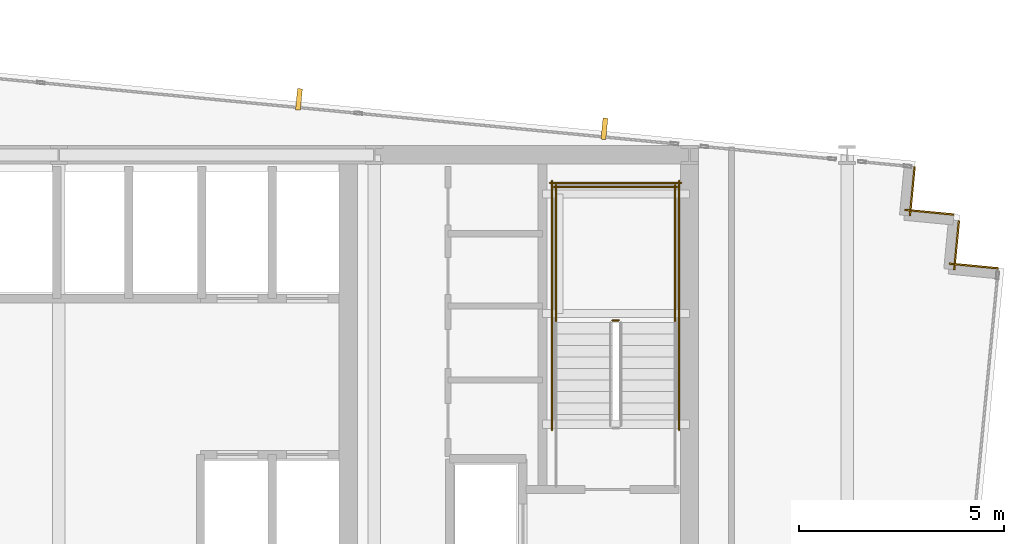
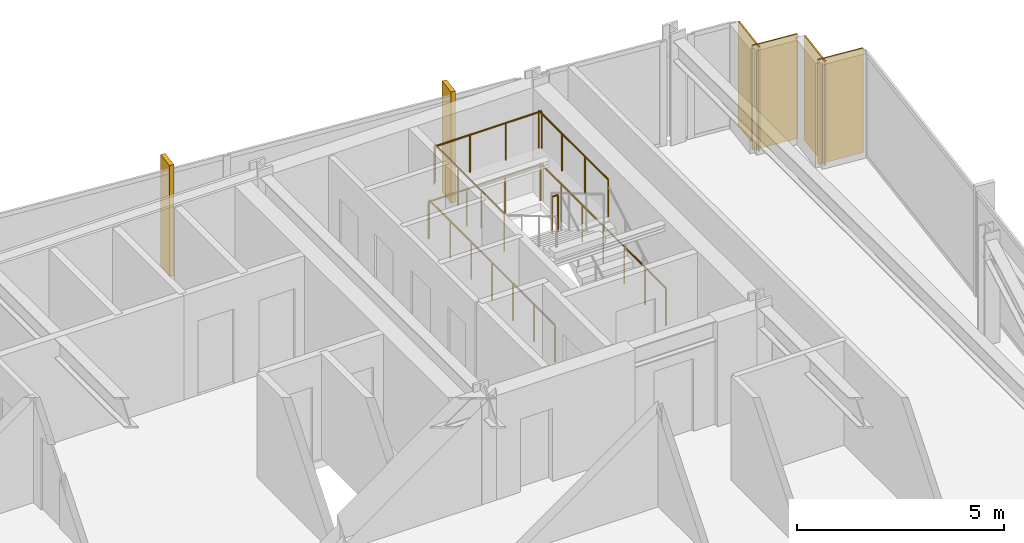
# One storey, part 37 of 37: 7 railings, 4 coverings, 2 shading devices.
"""IFC4 building model written with IfcOpenShell, lengths in metres."""

from ifc_helpers import new_model, si_unit, direction, frame, frame_2d, origin, origin_2d, place, context, subcontext, project, spatial, rectangle, circle, extrude, material, layer, layer_set, type_object, element, save


model = new_model("IFC4")

# Units and contexts
model_context = context("Model", 3, precision=1e-05, world=origin(), true_north=direction((0.0, 1.0)))
body_context = subcontext(model_context, "Body", "Model", "MODEL_VIEW")
ifc_project = project(units=[si_unit("LENGTHUNIT", "METRE"), si_unit("AREAUNIT", "SQUARE_METRE"), si_unit("VOLUMEUNIT", "CUBIC_METRE"), si_unit("PLANEANGLEUNIT", "RADIAN"), si_unit("MASSUNIT", "GRAM", prefix="KILO")], contexts=[model_context])

# Site, building, storey
site_placement = place(None, origin())
site = spatial("IfcSite", under=ifc_project, at=site_placement, CompositionType="ELEMENT")
building_placement = place(site_placement, origin())
building = spatial("IfcBuilding", under=site, at=building_placement, Name="Yelkora Congress Tower", CompositionType="ELEMENT")
storey_placement = place(building_placement, frame((0.0, 0.0, 162.199951171875)))
storey = spatial("IfcBuildingStorey", under=building, at=storey_placement, Name="L44", CompositionType="ELEMENT", Elevation=162.199951171875)

# Coverings
ifc_material_1 = material(Name="Anatolian bush-hammered limestone", Category="masonry")
ifc_layer_1 = layer(ifc_material_1, 0.0400390625)
ifc_layer_set_1 = layer_set([ifc_layer_1], Name="Anatolian bush-hammered limestone")
covering_type = type_object("IfcCoveringType", Name="COV-CLAD-SPANDREL-40", PredefinedType="CLADDING", material=ifc_layer_set_1)
covering_1_placement = place(storey_placement, frame((59.2431640625, 45.909912109375, 0.0), z_axis=(0.0, 0.0, 1.0), x_axis=(-0.095836473879, -0.995397091755, 0.0)))
element("IfcCovering", 1, at=covering_1_placement, inside=storey, type_object=covering_type, Name="L44 Anatolian Limestone Cladding EW-L44-SR11", PredefinedType="CLADDING", context=body_context, shape_type="SweptSolid", body=[
    extrude(rectangle(XDim=1.199951171875, YDim=0.0400390625, at=frame_2d((0.60009765625, 0.0))), origin(), (0.0, 0.0, 1.0), 3.080078125),
])
for number, where, z_axis, x_axis, name in (
    (2, (59.006591796875, 44.86279296875, 0.0), (0.0, 0.0, 1.0), (0.995398960025, -0.095817067274, 0.0), "L44 Anatolian Limestone Cladding EW-L44-SR12"),
    (3, (60.322509765625, 44.6005859375, 0.0), (0.0, 0.0, 1.0), (-0.095817067274, -0.995398960025, 0.0), "L44 Anatolian Limestone Cladding EW-L44-SR13"),
):
    element("IfcCovering", number, at=place(storey_placement, frame(where, z_axis=z_axis, x_axis=x_axis)), inside=storey, type_object=covering_type, Name=name, PredefinedType="CLADDING", context=body_context, shape_type="SweptSolid", body=[
        extrude(rectangle(XDim=1.2001953125, YDim=0.0400390625, at=frame_2d((0.60009765625, 0.0))), origin(), (0.0, 0.0, 1.0), 3.080078125),
    ])
covering_2_placement = place(storey_placement, frame((60.086181640625, 43.55322265625, 0.0), z_axis=(0.0, 0.0, 1.0), x_axis=(0.995397091755, -0.095836473879, 0.0)))
element("IfcCovering", 4, at=covering_2_placement, inside=storey, type_object=covering_type, Name="L44 Anatolian Limestone Cladding EW-L44-SR14", PredefinedType="CLADDING", context=body_context, shape_type="SweptSolid", body=[
    extrude(rectangle(XDim=1.199951171875, YDim=0.0400390625, at=frame_2d((0.60009765625, 0.0))), origin(), (0.0, 0.0, 1.0), 3.080078125),
])

# Railings
ifc_material_2 = material(Name="Painted galvanised steel stair well guard with vertical infill", Category="steel")
ifc_layer_2 = layer(ifc_material_2, 0.06005859375)
ifc_layer_set_2 = layer_set([ifc_layer_2], Name="Painted galvanised steel stair well guard with vertical infill")
railing_type = type_object("IfcRailingType", Name="RAIL-STAIR-GUARD-1120", PredefinedType="GUARDRAIL", material=ifc_layer_set_2)
railing_1_placement = place(storey_placement, frame((52.0400390625, 42.169921875, 1.650146484375)))
element("IfcRailing", 5, at=railing_1_placement, inside=storey, type_object=railing_type, Name="ST-02 L44 Stair Well Guardrail 2", PredefinedType="GUARDRAIL", context=body_context, shape_type="SweptSolid", body=[
    extrude(circle(Radius=0.02392578125, at=origin_2d()), frame((0.0, 0.0, 1.09619140625), z_axis=(-1.0, 0.0, 0.0), x_axis=(0.0, -1.0, 0.0)), (0.0, 0.0, 1.0), 0.16015625),
    extrude(circle(Radius=0.02099609375, at=origin_2d()), origin(), (0.0, 0.0, 1.0), 1.072021484375),
    extrude(circle(Radius=0.02099609375, at=origin_2d()), frame((-0.16015625, 0.0, 0.0)), (0.0, 0.0, 1.0), 1.072021484375),
])
for number, where, name in (
    (6, (53.409912109375, 42.1201171875, 1.650146484375), "ST-02 L44 Stair Well Guardrail 3"),
    (7, (50.510009765625, 42.1201171875, 1.650146484375), "ST-02 L44 Stair Well Guardrail 4"),
):
    element("IfcRailing", number, at=place(storey_placement, frame(where)), inside=storey, type_object=railing_type, Name=name, PredefinedType="GUARDRAIL", context=body_context, shape_type="SweptSolid", body=[
        extrude(circle(Radius=0.02392578125, at=origin_2d()), frame((0.0, 0.0, 1.09619140625), z_axis=(0.0, 1.0, 0.0), x_axis=(-1.0, 0.0, 0.0)), (0.0, 0.0, 1.0), 3.349853515625),
        extrude(circle(Radius=0.02099609375, at=origin_2d()), origin(), (0.0, 0.0, 1.0), 1.072021484375),
        extrude(circle(Radius=0.02099609375, at=origin_2d()), frame((0.0, 1.11669921875, 0.0)), (0.0, 0.0, 1.0), 1.072021484375),
        extrude(circle(Radius=0.02099609375, at=origin_2d()), frame((0.0, 2.233154296875, 0.0)), (0.0, 0.0, 1.0), 1.072021484375),
        extrude(circle(Radius=0.02099609375, at=origin_2d()), frame((0.0, 3.349853515625, 0.0)), (0.0, 0.0, 1.0), 1.072021484375),
    ])
railing_2_placement = place(storey_placement, frame((53.4599609375, 45.419921875, 1.650146484375)))
element("IfcRailing", 8, at=railing_2_placement, inside=storey, type_object=railing_type, Name="ST-02 L44 Stair Well Guardrail 5", PredefinedType="GUARDRAIL", context=body_context, shape_type="SweptSolid", body=[
    extrude(circle(Radius=0.02392578125, at=origin_2d()), frame((0.0, 0.0, 1.09619140625), z_axis=(-1.0, 0.0, 0.0), x_axis=(0.0, -1.0, 0.0)), (0.0, 0.0, 1.0), 3.0),
    extrude(circle(Radius=0.02099609375, at=origin_2d()), origin(), (0.0, 0.0, 1.0), 1.072021484375),
    extrude(circle(Radius=0.02099609375, at=origin_2d()), frame((-1.0, 0.0, 0.0)), (0.0, 0.0, 1.0), 1.072021484375),
    extrude(circle(Radius=0.02099609375, at=origin_2d()), frame((-2.0, 0.0, 0.0)), (0.0, 0.0, 1.0), 1.072021484375),
    extrude(circle(Radius=0.02099609375, at=origin_2d()), frame((-3.0, 0.0, 0.0)), (0.0, 0.0, 1.0), 1.072021484375),
])
for number, where, name in (
    (9, (53.510009765625, 39.5, 0.0), "ST-02 L44 Stair Well Guardrail 10"),
    (10, (50.409912109375, 39.5, 0.0), "ST-02 L44 Stair Well Guardrail 11"),
):
    element("IfcRailing", number, at=place(storey_placement, frame(where)), inside=storey, type_object=railing_type, Name=name, PredefinedType="GUARDRAIL", context=body_context, shape_type="SweptSolid", body=[
        extrude(circle(Radius=0.02392578125, at=origin_2d()), frame((0.0, 0.0, 1.09619140625), z_axis=(0.0, 1.0, 0.0), x_axis=(-1.0, 0.0, 0.0)), (0.0, 0.0, 1.0), 6.070068359375),
        extrude(circle(Radius=0.02099609375, at=origin_2d()), origin(), (0.0, 0.0, 1.0), 1.072021484375),
        extrude(circle(Radius=0.02099609375, at=origin_2d()), frame((0.0, 1.01171875, 0.0)), (0.0, 0.0, 1.0), 1.072021484375),
        extrude(circle(Radius=0.02099609375, at=origin_2d()), frame((0.0, 2.0234375, 0.0)), (0.0, 0.0, 1.0), 1.072021484375),
        extrude(circle(Radius=0.02099609375, at=origin_2d()), frame((0.0, 3.03515625, 0.0)), (0.0, 0.0, 1.0), 1.072021484375),
        extrude(circle(Radius=0.02099609375, at=origin_2d()), frame((0.0, 4.046630859375, 0.0)), (0.0, 0.0, 1.0), 1.072021484375),
        extrude(circle(Radius=0.02099609375, at=origin_2d()), frame((0.0, 5.058349609375, 0.0)), (0.0, 0.0, 1.0), 1.072021484375),
        extrude(circle(Radius=0.02099609375, at=origin_2d()), frame((0.0, 6.070068359375, 0.0)), (0.0, 0.0, 1.0), 1.072021484375),
    ])
railing_3_placement = place(storey_placement, frame((53.56005859375, 45.52001953125, 0.0)))
element("IfcRailing", 11, at=railing_3_placement, inside=storey, type_object=railing_type, Name="ST-02 L44 Stair Well Guardrail 12", PredefinedType="GUARDRAIL", context=body_context, shape_type="SweptSolid", body=[
    extrude(circle(Radius=0.02392578125, at=origin_2d()), frame((0.0, 0.0, 1.09619140625), z_axis=(-1.0, 0.0, 0.0), x_axis=(0.0, -1.0, 0.0)), (0.0, 0.0, 1.0), 3.199951171875),
    extrude(circle(Radius=0.02099609375, at=origin_2d()), origin(), (0.0, 0.0, 1.0), 1.072021484375),
    extrude(circle(Radius=0.02099609375, at=origin_2d()), frame((-1.066650390625, 0.0, 0.0)), (0.0, 0.0, 1.0), 1.072021484375),
    extrude(circle(Radius=0.02099609375, at=origin_2d()), frame((-2.13330078125, 0.0, 0.0)), (0.0, 0.0, 1.0), 1.072021484375),
    extrude(circle(Radius=0.02099609375, at=origin_2d()), frame((-3.199951171875, 0.0, 0.0)), (0.0, 0.0, 1.0), 1.072021484375),
])

# Shading devices
ifc_material_3 = material(Name="Champagne anodised aluminium", Category="aluminium")
ifc_layer_3 = layer(ifc_material_3, 3.300048828125)
ifc_layer_set_3 = layer_set([ifc_layer_3], Name="Champagne anodised aluminium")
shading_device_type = type_object("IfcShadingDeviceType", Name="SHD-FIN-ALU-520", PredefinedType="USERDEFINED", material=ifc_layer_set_3)
for number, where, z_axis, x_axis, name in (
    (12, (44.248291015625, 47.5546875, -0.02978515625), (0.0, 0.0, 1.0), (0.995396198367, -0.09584575252, 0.0), "L44 Vertical Anodised Solar Fin 10-5"),
    (13, (51.68798828125, 46.83837890625, -0.02978515625), (0.0, 0.0, 1.0), (0.995396198367, -0.09584575252, 0.0), "L44 Vertical Anodised Solar Fin 10-6"),
):
    element("IfcShadingDevice", number, at=place(storey_placement, frame(where, z_axis=z_axis, x_axis=x_axis)), inside=storey, type_object=shading_device_type, Name=name, ObjectType="FIN", PredefinedType="USERDEFINED", context=body_context, shape_type="SweptSolid", body=[
        extrude(rectangle(XDim=0.1201171875, YDim=0.52001953125, at=origin_2d()), origin(), (0.0, 0.0, 1.0), 3.280029296875),
    ])

save(model, "model.ifc")
